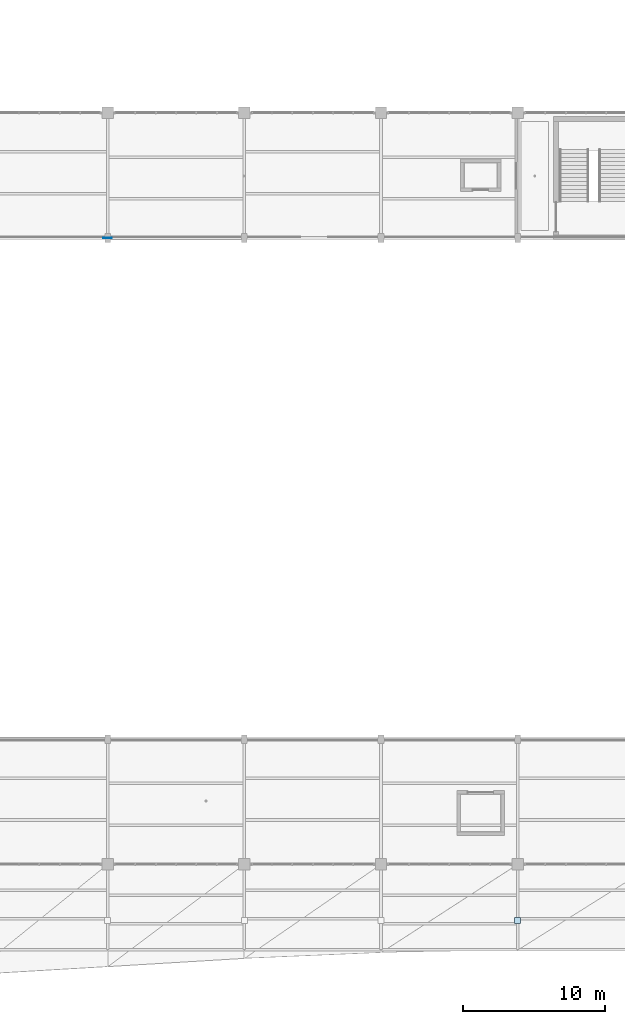
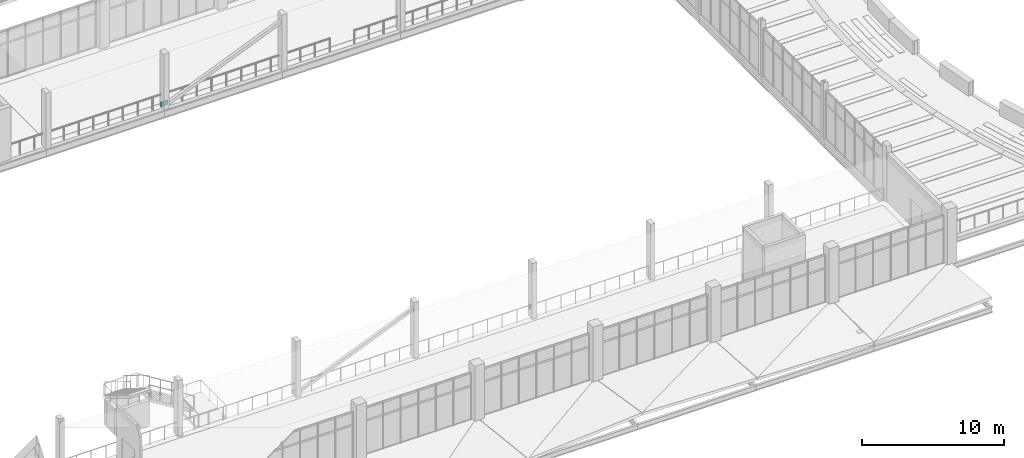
# One storey, part 129 of 157: 2 plates.
"""IFC4 building model written with IfcOpenShell, lengths in metres."""

from ifc_helpers import new_model, si_unit, direction, frame, origin, origin_2d, place, context, subcontext, project, spatial, rectangle, extrude, material, layer, layer_set, type_object, element, save


model = new_model("IFC4")

# Units and contexts
model_context = context("Model", 3, precision=1e-05, world=origin(), true_north=direction((0.0, 1.0)))
body_context = subcontext(model_context, "Body", "Model", "MODEL_VIEW")
ifc_project = project(units=[si_unit("LENGTHUNIT", "METRE"), si_unit("AREAUNIT", "SQUARE_METRE"), si_unit("VOLUMEUNIT", "CUBIC_METRE"), si_unit("PLANEANGLEUNIT", "RADIAN"), si_unit("MASSUNIT", "GRAM", prefix="KILO")], contexts=[model_context])

# Site, building, storey
site_placement = place(None, origin())
site = spatial("IfcSite", under=ifc_project, at=site_placement, CompositionType="ELEMENT")
building_placement = place(site_placement, origin())
building = spatial("IfcBuilding", under=site, at=building_placement, Name="Chalmorin Arch Market", CompositionType="ELEMENT")
storey_placement = place(building_placement, frame((0.0, 0.0, 4.800048828125)))
storey = spatial("IfcBuildingStorey", under=building, at=storey_placement, Name="L01", CompositionType="ELEMENT", Elevation=4.800048828125)

# Plates
ifc_material = material(Name="Steel A572 Grade 50", Category="steel")
ifc_layer = layer(ifc_material, 0.02490234375)
ifc_layer_set = layer_set([ifc_layer], Name="Steel A572 Grade 50")
plate_type = type_object("IfcPlateType", Name="NodeGussetPlate-600x400x25", PredefinedType="SHEET", material=ifc_layer_set)
plate_1_placement = place(storey_placement, frame((115.199951171875, 2.050048828125, -0.283203125), z_axis=(0.0, 0.0, 1.0), x_axis=(1.0, 0.0, 0.0)))
element("IfcPlate", 1, at=plate_1_placement, inside=storey, type_object=plate_type, Name="GP-01-026", PredefinedType="SHEET", context=body_context, shape_type="SweptSolid", body=[
    extrude(rectangle(XDim=0.419921875, YDim=0.419921875, at=origin_2d()), origin(), (0.0, 0.0, 1.0), 0.030029296875),
])
plate_2_placement = place(storey_placement, frame((86.39990234375, 50.0, 0.14990234375), z_axis=(0.0, 0.0, 1.0), x_axis=(1.0, 0.0, 0.0)))
element("IfcPlate", 2, at=plate_2_placement, inside=storey, type_object=plate_type, Name="GP-01-163", PredefinedType="SHEET", context=body_context, shape_type="SweptSolid", body=[
    extrude(rectangle(XDim=0.60009765625, YDim=0.02490234375, at=origin_2d()), origin(), (0.0, 0.0, 1.0), 0.39990234375),
])

save(model, "model.ifc")
